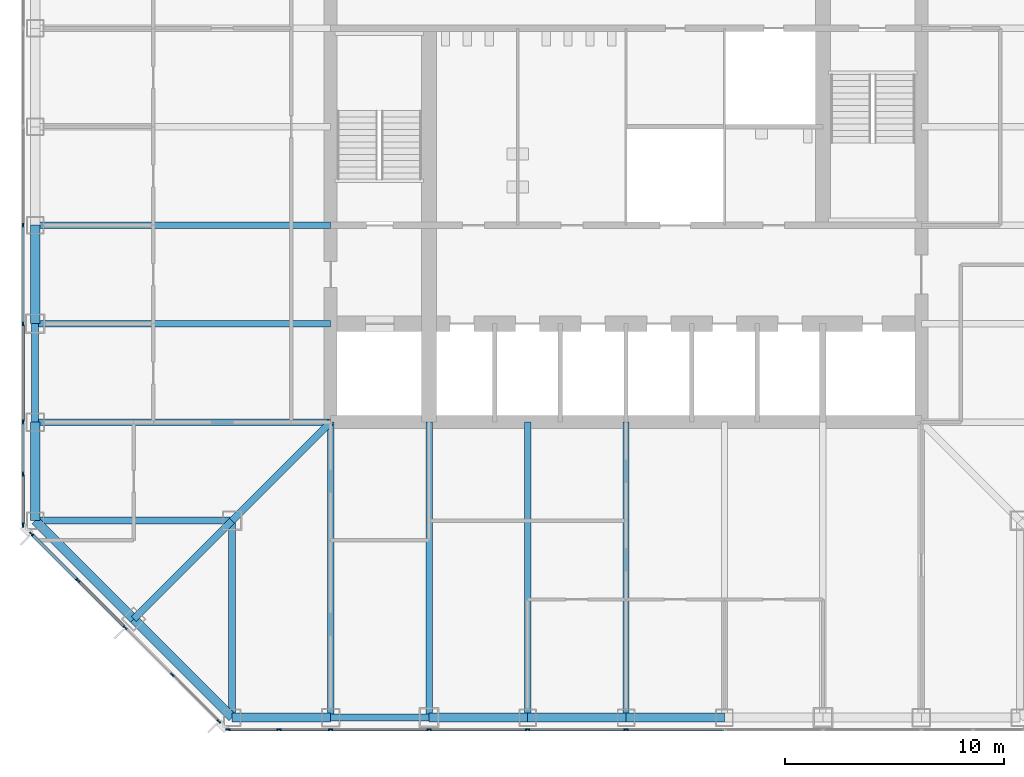
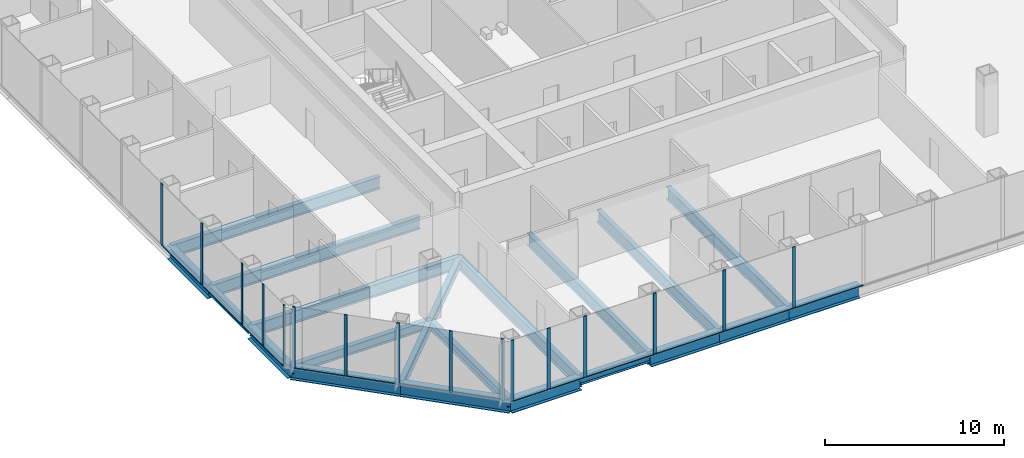
# One storey, part 2 of 13: 28 members, 21 beams, 3 elements without a shape of their own.
"""IFC4 building model written with IfcOpenShell, lengths in metres."""

from ifc_helpers import new_model, si_unit, direction, frame, origin, origin_2d, place, context, subcontext, project, spatial, rectangle, i_section, extrude, material, material_profile, profile_set, type_object, element, aggregate, save


model = new_model("IFC4")

# Units and contexts
model_context = context("Model", 3, precision=1e-05, world=origin(), true_north=direction((0.0, 1.0)))
body_context = subcontext(model_context, "Body", "Model", "MODEL_VIEW")
ifc_project = project(units=[si_unit("LENGTHUNIT", "METRE"), si_unit("AREAUNIT", "SQUARE_METRE"), si_unit("VOLUMEUNIT", "CUBIC_METRE"), si_unit("PLANEANGLEUNIT", "RADIAN"), si_unit("MASSUNIT", "GRAM", prefix="KILO")], contexts=[model_context])

# Site, building, storey
site_placement = place(None, origin())
site = spatial("IfcSite", under=ifc_project, at=site_placement, CompositionType="ELEMENT")
building_placement = place(site_placement, origin())
building = spatial("IfcBuilding", under=site, at=building_placement, Name="Corais Broadcast Tower", CompositionType="ELEMENT")
storey_placement = place(building_placement, frame((0.0, 0.0, 87.800048828125)))
storey = spatial("IfcBuildingStorey", under=building, at=storey_placement, Name="L19", CompositionType="ELEMENT", Elevation=87.800048828125)

# Beams
ifc_material_1 = material(Name="Steel ASTM A572 Grade 50", Category="steel")
ifc_material_profile_1 = material_profile(ifc_material_1, i_section(OverallWidth=0.323974609375, OverallDepth=0.611083984375, WebThickness=0.0126953125, FlangeThickness=0.01904296875, at=origin_2d()), Name="W610x155")
ifc_profile_set_1 = profile_set([ifc_material_profile_1], Name="Steel ASTM A572 Grade 50")
beam_type_1 = type_object("IfcBeamType", Name="Chamfer tie W610x155", PredefinedType="BEAM", material=ifc_profile_set_1)
beam_1_placement = place(storey_placement, frame((4.5, 4.5, -0.465576171875), z_axis=(0.707106781187, 0.707106781187, 0.0), x_axis=(-0.707106781187, 0.707106781187, 0.0)))
element("IfcBeam", 1, at=beam_1_placement, inside=storey, type_object=beam_type_1, Name="B5 B/4 to C/5", PredefinedType="BEAM", context=body_context, shape_type="SweptSolid", body=[
    extrude(i_section(OverallWidth=0.323974609375, OverallDepth=0.611083984375, WebThickness=0.0126953125, FlangeThickness=0.01904296875, at=origin_2d()), origin(), (0.0, 0.0, 1.0), 6.364013671875),
])
ifc_material_2 = material(Name="Steel ASTM A572 Grade 50", Category="steel")
ifc_material_profile_2 = material_profile(ifc_material_2, i_section(OverallWidth=0.323974609375, OverallDepth=0.611083984375, WebThickness=0.0126953125, FlangeThickness=0.01904296875, at=origin_2d()), Name="W610x155")
ifc_profile_set_2 = profile_set([ifc_material_profile_2], Name="Steel ASTM A572 Grade 50")
beam_type_2 = type_object("IfcBeamType", Name="Corner diagonal W610x155", PredefinedType="BEAM", material=ifc_profile_set_2)
beam_2_placement = place(storey_placement, frame((9.0, 9.0, -0.465576171875), z_axis=(0.707106781187, 0.707106781187, 0.0), x_axis=(-0.707106781187, 0.707106781187, 0.0)))
element("IfcBeam", 2, at=beam_2_placement, inside=storey, type_object=beam_type_2, Name="B6 C/5 to D/6", PredefinedType="BEAM", context=body_context, shape_type="SweptSolid", body=[
    extrude(i_section(OverallWidth=0.323974609375, OverallDepth=0.611083984375, WebThickness=0.0126953125, FlangeThickness=0.01904296875, at=origin_2d()), origin(), (0.0, 0.0, 1.0), 6.364013671875),
])
ifc_material_3 = material(Name="Steel ASTM A572 Grade 50", Category="steel")
ifc_material_profile_3 = material_profile(ifc_material_3, i_section(OverallWidth=0.323974609375, OverallDepth=0.611083984375, WebThickness=0.0126953125, FlangeThickness=0.01904296875, at=origin_2d()), Name="W610x155")
ifc_profile_set_3 = profile_set([ifc_material_profile_3], Name="Steel ASTM A572 Grade 50")
beam_type_3 = type_object("IfcBeamType", Name="Corner girder W610x155", PredefinedType="BEAM", material=ifc_profile_set_3)
for number, where, z_axis, x_axis, name in (
    (3, (0.0, 9.0, -0.465576171875), (1.0, 0.0, 0.0), (0.0, 1.0, 0.0), "B4 C/3 to C/5"),
    (4, (9.0, 0.0, -0.465576171875), (0.0, 1.0, 0.0), (-1.0, 0.0, 0.0), "B4 A/5 to C/5"),
):
    element("IfcBeam", number, at=place(storey_placement, frame(where, z_axis=z_axis, x_axis=x_axis)), inside=storey, type_object=beam_type_3, Name=name, PredefinedType="BEAM", context=body_context, shape_type="SweptSolid", body=[
        extrude(i_section(OverallWidth=0.323974609375, OverallDepth=0.611083984375, WebThickness=0.0126953125, FlangeThickness=0.01904296875, at=origin_2d()), origin(), (0.0, 0.0, 1.0), 9.0),
    ])
ifc_material_4 = material(Name="Steel ASTM A572 Grade 50", Category="steel")
ifc_material_profile_4 = material_profile(ifc_material_4, i_section(OverallWidth=0.2939453125, OverallDepth=0.85107421875, WebThickness=0.01611328125, FlangeThickness=0.02685546875, at=origin_2d()), Name="W840x226")
ifc_profile_set_4 = profile_set([ifc_material_profile_4], Name="Steel ASTM A572 Grade 50")
beam_type_4 = type_object("IfcBeamType", Name="Floor beam W840x226", PredefinedType="BEAM", material=ifc_profile_set_4)
for number, where, z_axis, x_axis, name in (
    (5, (0.0, 13.5, -0.58544921875), (1.0, 0.0, 0.0), (0.0, 1.0, 0.0), "B1 D/3 to D/6"),
    (6, (0.0, 18.0, -0.58544921875), (1.0, 0.0, 0.0), (0.0, 1.0, 0.0), "B1 E/3 to E/6"),
    (7, (0.0, 22.5, -0.58544921875), (1.0, 0.0, 0.0), (0.0, 1.0, 0.0), "B1 F/3 to F/6"),
    (8, (13.5, 0.0, -0.58544921875), (0.0, 1.0, 0.0), (-1.0, 0.0, 0.0), "B1 A/6 to D/6"),
    (9, (18.0, 0.0, -0.58544921875), (0.0, 1.0, 0.0), (-1.0, 0.0, 0.0), "B1 A/7 to D/7"),
    (10, (22.5, 0.0, -0.58544921875), (0.0, 1.0, 0.0), (-1.0, 0.0, 0.0), "B1 A/8 to D/8"),
    (11, (27.0, 0.0, -0.58544921875), (0.0, 1.0, 0.0), (-1.0, 0.0, 0.0), "B1 A/9 to D/9"),
):
    element("IfcBeam", number, at=place(storey_placement, frame(where, z_axis=z_axis, x_axis=x_axis)), inside=storey, type_object=beam_type_4, Name=name, PredefinedType="BEAM", context=body_context, shape_type="SweptSolid", body=[
        extrude(i_section(OverallWidth=0.2939453125, OverallDepth=0.85107421875, WebThickness=0.01611328125, FlangeThickness=0.02685546875, at=origin_2d()), origin(), (0.0, 0.0, 1.0), 13.5),
    ])

# Curtain wall, members
ifc_material_5 = material(Name="Aluminium and glass", Category="aluminium")
curtain_wall_type = type_object("IfcCurtainWallType", Name="Unitised fritted curtain wall CW1", PredefinedType="NOTDEFINED", material=ifc_material_5)
curtain_wall_1_placement = place(storey_placement, origin())
curtain_wall_1 = element("IfcCurtainWall", 12, at=curtain_wall_1_placement, inside=storey, type_object=curtain_wall_type, Name="CW1 curtain wall L19 1", PredefinedType="NOTDEFINED")
ifc_material_6 = material(Name="Aluminium 6063-T6", Category="aluminium")
ifc_material_profile_5 = material_profile(ifc_material_6, rectangle(XDim=0.06494140625, YDim=0.199951171875, at=origin_2d()), Name="Mullion CW1 65x200")
ifc_profile_set_5 = profile_set([ifc_material_profile_5], Name="Aluminium 6063-T6")
member_type_1 = type_object("IfcMemberType", Name="Mullion CW1 65x200", PredefinedType="MULLION", material=ifc_profile_set_5)
member_1_placement = place(storey_placement, frame((8.3955078125, -0.17333984375, 0.0), z_axis=(0.0, 0.0, 1.0), x_axis=(-0.707106781187, -0.707106781187, 0.0)))
member_1 = element("IfcMember", 13, at=member_1_placement, type_object=member_type_1, Name="CW1 mullion 1", PredefinedType="MULLION", context=body_context, shape_type="SweptSolid", body=[
    extrude(rectangle(XDim=0.06494140625, YDim=0.199951171875, at=origin_2d()), origin(), (0.0, 0.0, 1.0), 4.199951171875),
])
member_2_placement = place(storey_placement, frame((6.264892578125, 1.957275390625, 0.0), z_axis=(0.0, 0.0, 1.0), x_axis=(-0.707106781187, -0.707106781187, 0.0)))
member_2 = element("IfcMember", 14, at=member_2_placement, type_object=member_type_1, Name="CW1 mullion 2", PredefinedType="MULLION", context=body_context, shape_type="SweptSolid", body=[
    extrude(rectangle(XDim=0.06494140625, YDim=0.199951171875, at=origin_2d()), origin(), (0.0, 0.0, 1.0), 4.199951171875),
])
member_3_placement = place(storey_placement, frame((4.111083984375, 4.111083984375, 0.0), z_axis=(0.0, 0.0, 1.0), x_axis=(-0.707106781187, -0.707106781187, 0.0)))
member_3 = element("IfcMember", 15, at=member_3_placement, type_object=member_type_1, Name="CW1 mullion 3", PredefinedType="MULLION", context=body_context, shape_type="SweptSolid", body=[
    extrude(rectangle(XDim=0.06494140625, YDim=0.199951171875, at=origin_2d()), origin(), (0.0, 0.0, 1.0), 4.199951171875),
])
member_4_placement = place(storey_placement, frame((1.957275390625, 6.264892578125, 0.0), z_axis=(0.0, 0.0, 1.0), x_axis=(-0.707106781187, -0.707106781187, 0.0)))
member_4 = element("IfcMember", 16, at=member_4_placement, type_object=member_type_1, Name="CW1 mullion 4", PredefinedType="MULLION", context=body_context, shape_type="SweptSolid", body=[
    extrude(rectangle(XDim=0.06494140625, YDim=0.199951171875, at=origin_2d()), origin(), (0.0, 0.0, 1.0), 4.199951171875),
])
member_5_placement = place(storey_placement, frame((-0.17333984375, 8.3955078125, 0.0), z_axis=(0.0, 0.0, 1.0), x_axis=(-0.707106781187, -0.707106781187, 0.0)))
member_5 = element("IfcMember", 17, at=member_5_placement, type_object=member_type_1, Name="CW1 mullion 5", PredefinedType="MULLION", context=body_context, shape_type="SweptSolid", body=[
    extrude(rectangle(XDim=0.06494140625, YDim=0.199951171875, at=origin_2d()), origin(), (0.0, 0.0, 1.0), 4.199951171875),
])

curtain_wall_2_placement = place(storey_placement, origin())
curtain_wall_2 = element("IfcCurtainWall", 18, at=curtain_wall_2_placement, inside=storey, type_object=curtain_wall_type, Name="CW1 curtain wall L19 2", PredefinedType="NOTDEFINED")
member_6_placement = place(storey_placement, frame((-0.550048828125, 8.8046875, 0.0), z_axis=(0.0, 0.0, 1.0), x_axis=(-1.0, 0.0, 0.0)))
member_6 = element("IfcMember", 19, at=member_6_placement, type_object=member_type_1, Name="CW1 mullion 1", PredefinedType="MULLION", context=body_context, shape_type="SweptSolid", body=[
    extrude(rectangle(XDim=0.06494140625, YDim=0.199951171875, at=origin_2d()), origin(), (0.0, 0.0, 1.0), 4.199951171875),
])
member_7_placement = place(storey_placement, frame((-0.550048828125, 11.135986328125, 0.0), z_axis=(0.0, 0.0, 1.0), x_axis=(-1.0, 0.0, 0.0)))
member_7 = element("IfcMember", 20, at=member_7_placement, type_object=member_type_1, Name="CW1 mullion 2", PredefinedType="MULLION", context=body_context, shape_type="SweptSolid", body=[
    extrude(rectangle(XDim=0.06494140625, YDim=0.199951171875, at=origin_2d()), origin(), (0.0, 0.0, 1.0), 4.199951171875),
])
member_8_placement = place(storey_placement, frame((-0.550048828125, 13.5, 0.0), z_axis=(0.0, 0.0, 1.0), x_axis=(-1.0, 0.0, 0.0)))
member_8 = element("IfcMember", 21, at=member_8_placement, type_object=member_type_1, Name="CW1 mullion 3", PredefinedType="MULLION", context=body_context, shape_type="SweptSolid", body=[
    extrude(rectangle(XDim=0.06494140625, YDim=0.199951171875, at=origin_2d()), origin(), (0.0, 0.0, 1.0), 4.199951171875),
])
member_9_placement = place(storey_placement, frame((-0.550048828125, 18.0, 0.0), z_axis=(0.0, 0.0, 1.0), x_axis=(-1.0, 0.0, 0.0)))
member_9 = element("IfcMember", 22, at=member_9_placement, type_object=member_type_1, Name="CW1 mullion 4", PredefinedType="MULLION", context=body_context, shape_type="SweptSolid", body=[
    extrude(rectangle(XDim=0.06494140625, YDim=0.199951171875, at=origin_2d()), origin(), (0.0, 0.0, 1.0), 4.199951171875),
])
member_10_placement = place(storey_placement, frame((-0.550048828125, 22.5, 0.0), z_axis=(0.0, 0.0, 1.0), x_axis=(-1.0, 0.0, 0.0)))
member_10 = element("IfcMember", 23, at=member_10_placement, type_object=member_type_1, Name="CW1 mullion 5", PredefinedType="MULLION", context=body_context, shape_type="SweptSolid", body=[
    extrude(rectangle(XDim=0.06494140625, YDim=0.199951171875, at=origin_2d()), origin(), (0.0, 0.0, 1.0), 4.199951171875),
])

curtain_wall_3_placement = place(storey_placement, origin())
curtain_wall_3 = element("IfcCurtainWall", 24, at=curtain_wall_3_placement, inside=storey, type_object=curtain_wall_type, Name="CW1 curtain wall L19 8", PredefinedType="NOTDEFINED")
member_11_placement = place(storey_placement, frame((27.0, -0.550048828125, 0.0), z_axis=(0.0, 0.0, 1.0), x_axis=(0.0, -1.0, 0.0)))
member_11 = element("IfcMember", 25, at=member_11_placement, type_object=member_type_1, Name="CW1 mullion 6", PredefinedType="MULLION", context=body_context, shape_type="SweptSolid", body=[
    extrude(rectangle(XDim=0.06494140625, YDim=0.199951171875, at=origin_2d()), origin(), (0.0, 0.0, 1.0), 4.199951171875),
])
member_12_placement = place(storey_placement, frame((22.5, -0.550048828125, 0.0), z_axis=(0.0, 0.0, 1.0), x_axis=(0.0, -1.0, 0.0)))
member_12 = element("IfcMember", 26, at=member_12_placement, type_object=member_type_1, Name="CW1 mullion 7", PredefinedType="MULLION", context=body_context, shape_type="SweptSolid", body=[
    extrude(rectangle(XDim=0.06494140625, YDim=0.199951171875, at=origin_2d()), origin(), (0.0, 0.0, 1.0), 4.199951171875),
])
member_13_placement = place(storey_placement, frame((18.0, -0.550048828125, 0.0), z_axis=(0.0, 0.0, 1.0), x_axis=(0.0, -1.0, 0.0)))
member_13 = element("IfcMember", 27, at=member_13_placement, type_object=member_type_1, Name="CW1 mullion 8", PredefinedType="MULLION", context=body_context, shape_type="SweptSolid", body=[
    extrude(rectangle(XDim=0.06494140625, YDim=0.199951171875, at=origin_2d()), origin(), (0.0, 0.0, 1.0), 4.199951171875),
])
member_14_placement = place(storey_placement, frame((13.5, -0.550048828125, 0.0), z_axis=(0.0, 0.0, 1.0), x_axis=(0.0, -1.0, 0.0)))
member_14 = element("IfcMember", 28, at=member_14_placement, type_object=member_type_1, Name="CW1 mullion 9", PredefinedType="MULLION", context=body_context, shape_type="SweptSolid", body=[
    extrude(rectangle(XDim=0.06494140625, YDim=0.199951171875, at=origin_2d()), origin(), (0.0, 0.0, 1.0), 4.199951171875),
])
member_15_placement = place(storey_placement, frame((11.135986328125, -0.550048828125, 0.0), z_axis=(0.0, 0.0, 1.0), x_axis=(0.0, -1.0, 0.0)))
member_15 = element("IfcMember", 29, at=member_15_placement, type_object=member_type_1, Name="CW1 mullion 10", PredefinedType="MULLION", context=body_context, shape_type="SweptSolid", body=[
    extrude(rectangle(XDim=0.06494140625, YDim=0.199951171875, at=origin_2d()), origin(), (0.0, 0.0, 1.0), 4.199951171875),
])
member_16_placement = place(storey_placement, frame((8.8046875, -0.550048828125, 0.0), z_axis=(0.0, 0.0, 1.0), x_axis=(0.0, -1.0, 0.0)))
member_16 = element("IfcMember", 30, at=member_16_placement, type_object=member_type_1, Name="CW1 mullion 11", PredefinedType="MULLION", context=body_context, shape_type="SweptSolid", body=[
    extrude(rectangle(XDim=0.06494140625, YDim=0.199951171875, at=origin_2d()), origin(), (0.0, 0.0, 1.0), 4.199951171875),
])

# Beams
ifc_material_7 = material(Name="Steel ASTM A572 Grade 50", Category="steel")
ifc_material_profile_6 = material_profile(ifc_material_7, i_section(OverallWidth=0.323974609375, OverallDepth=0.611083984375, WebThickness=0.0126953125, FlangeThickness=0.01904296875, at=origin_2d()), Name="W610x155")
ifc_profile_set_6 = profile_set([ifc_material_profile_6], Name="Steel ASTM A572 Grade 50")
beam_type_5 = type_object("IfcBeamType", Name="Pinned spandrel W610x155", PredefinedType="BEAM", material=ifc_profile_set_6)
for number, where, z_axis, x_axis, name in (
    (31, (0.0, 18.0, -0.465576171875), (0.0, -1.0, 0.0), (1.0, 0.0, 0.0), "SB6 E/3 to D/3"),
    (32, (13.5, 0.0, -0.465576171875), (1.0, 0.0, 0.0), (0.0, 1.0, 0.0), "SB6 A/6 to A/7"),
):
    element("IfcBeam", number, at=place(storey_placement, frame(where, z_axis=z_axis, x_axis=x_axis)), inside=storey, type_object=beam_type_5, Name=name, PredefinedType="BEAM", context=body_context, shape_type="SweptSolid", body=[
        extrude(i_section(OverallWidth=0.323974609375, OverallDepth=0.611083984375, WebThickness=0.0126953125, FlangeThickness=0.01904296875, at=origin_2d()), origin(), (0.0, 0.0, 1.0), 4.5),
    ])
ifc_material_8 = material(Name="Steel ASTM A572 Grade 50", Category="steel")
ifc_material_profile_7 = material_profile(ifc_material_8, i_section(OverallWidth=0.4189453125, OverallDepth=0.94189453125, WebThickness=0.022216796875, FlangeThickness=0.03662109375, at=origin_2d()), Name="W920x345")
ifc_profile_set_7 = profile_set([ifc_material_profile_7], Name="Steel ASTM A572 Grade 50")
beam_type_6 = type_object("IfcBeamType", Name="Transfer spandrel W920x345", PredefinedType="BEAM", material=ifc_profile_set_7)
for number, where, z_axis, x_axis, name in (
    (33, (0.0, 13.5, -0.631103515625), (0.0, -1.0, 0.0), (1.0, 0.0, 0.0), "SB4 D/3 to C/3"),
    (34, (0.0, 22.5, -0.631103515625), (0.0, -1.0, 0.0), (1.0, 0.0, 0.0), "SB4 F/3 to E/3"),
):
    element("IfcBeam", number, at=place(storey_placement, frame(where, z_axis=z_axis, x_axis=x_axis)), inside=storey, type_object=beam_type_6, Name=name, PredefinedType="BEAM", context=body_context, shape_type="SweptSolid", body=[
        extrude(i_section(OverallWidth=0.4189453125, OverallDepth=0.94189453125, WebThickness=0.022216796875, FlangeThickness=0.03662109375, at=origin_2d()), origin(), (0.0, 0.0, 1.0), 4.5),
    ])
beam_3_placement = place(storey_placement, frame((0.0, 9.0, -0.631103515625), z_axis=(0.707106781187, -0.707106781187, 0.0), x_axis=(0.707106781187, 0.707106781187, 0.0)))
element("IfcBeam", 35, at=beam_3_placement, inside=storey, type_object=beam_type_6, Name="SB4 C/3 to B/4", PredefinedType="BEAM", context=body_context, shape_type="SweptSolid", body=[
    extrude(i_section(OverallWidth=0.4189453125, OverallDepth=0.94189453125, WebThickness=0.022216796875, FlangeThickness=0.03662109375, at=origin_2d()), origin(), (0.0, 0.0, 1.0), 6.364013671875),
])
for number, where, z_axis, x_axis, name in (
    (36, (18.0, 0.0, -0.631103515625), (1.0, 0.0, 0.0), (0.0, 1.0, 0.0), "SB4 A/7 to A/8"),
    (37, (22.5, 0.0, -0.631103515625), (1.0, 0.0, 0.0), (0.0, 1.0, 0.0), "SB4 A/8 to A/9"),
    (38, (27.0, 0.0, -0.631103515625), (1.0, 0.0, 0.0), (0.0, 1.0, 0.0), "SB4 A/9 to A/10"),
):
    element("IfcBeam", number, at=place(storey_placement, frame(where, z_axis=z_axis, x_axis=x_axis)), inside=storey, type_object=beam_type_6, Name=name, PredefinedType="BEAM", context=body_context, shape_type="SweptSolid", body=[
        extrude(i_section(OverallWidth=0.4189453125, OverallDepth=0.94189453125, WebThickness=0.022216796875, FlangeThickness=0.03662109375, at=origin_2d()), origin(), (0.0, 0.0, 1.0), 4.5),
    ])
beam_4_placement = place(storey_placement, frame((4.5, 4.5, -0.631103515625), z_axis=(0.707106781187, -0.707106781187, 0.0), x_axis=(0.707106781187, 0.707106781187, 0.0)))
element("IfcBeam", 39, at=beam_4_placement, inside=storey, type_object=beam_type_6, Name="SB4 B/4 to A/5", PredefinedType="BEAM", context=body_context, shape_type="SweptSolid", body=[
    extrude(i_section(OverallWidth=0.4189453125, OverallDepth=0.94189453125, WebThickness=0.022216796875, FlangeThickness=0.03662109375, at=origin_2d()), origin(), (0.0, 0.0, 1.0), 6.364013671875),
])
beam_5_placement = place(storey_placement, frame((9.0, 0.0, -0.631103515625), z_axis=(1.0, 0.0, 0.0), x_axis=(0.0, 1.0, 0.0)))
element("IfcBeam", 40, at=beam_5_placement, inside=storey, type_object=beam_type_6, Name="SB4 A/5 to A/6", PredefinedType="BEAM", context=body_context, shape_type="SweptSolid", body=[
    extrude(i_section(OverallWidth=0.4189453125, OverallDepth=0.94189453125, WebThickness=0.022216796875, FlangeThickness=0.03662109375, at=origin_2d()), origin(), (0.0, 0.0, 1.0), 4.5),
])

# Member
ifc_material_9 = material(Name="Aluminium 6063-T6", Category="aluminium")
ifc_material_profile_8 = material_profile(ifc_material_9, rectangle(XDim=0.139892578125, YDim=0.06494140625, at=origin_2d()), Name="Transom CW1 65x140")
ifc_profile_set_8 = profile_set([ifc_material_profile_8], Name="Aluminium 6063-T6")
member_type_2 = type_object("IfcMemberType", Name="Transom CW1 65x140", PredefinedType="USERDEFINED", material=ifc_profile_set_8)
member_17_placement = place(storey_placement, frame((4.088134765625, 4.134033203125, 0.032470703125), z_axis=(-0.707106781187, 0.707106781187, 0.0), x_axis=(-0.707106781187, -0.707106781187, 0.0)))
member_17 = element("IfcMember", 41, at=member_17_placement, type_object=member_type_2, Name="CW1 transom 3.1", ObjectType="TRANSOM", PredefinedType="USERDEFINED", context=body_context, shape_type="SweptSolid", body=[
    extrude(rectangle(XDim=0.139892578125, YDim=0.06494140625, at=origin_2d()), origin(), (0.0, 0.0, 1.0), 2.98095703125),
])

member_18_placement = place(storey_placement, frame((1.934326171875, 6.287841796875, 0.032470703125), z_axis=(-0.707106781187, 0.707106781187, 0.0), x_axis=(-0.707106781187, -0.707106781187, 0.0)))
member_18 = element("IfcMember", 42, at=member_18_placement, type_object=member_type_2, Name="CW1 transom 4.1", ObjectType="TRANSOM", PredefinedType="USERDEFINED", context=body_context, shape_type="SweptSolid", body=[
    extrude(rectangle(XDim=0.139892578125, YDim=0.06494140625, at=origin_2d()), origin(), (0.0, 0.0, 1.0), 2.9482421875),
])

aggregate(curtain_wall_1, [member_1, member_2, member_3, member_4, member_5, member_17, member_18])

member_19_placement = place(storey_placement, frame((-0.550048828125, 8.837158203125, 0.032470703125), z_axis=(0.0, 1.0, 0.0), x_axis=(-1.0, 0.0, 0.0)))
member_19 = element("IfcMember", 43, at=member_19_placement, type_object=member_type_2, Name="CW1 transom 1.1", ObjectType="TRANSOM", PredefinedType="USERDEFINED", context=body_context, shape_type="SweptSolid", body=[
    extrude(rectangle(XDim=0.139892578125, YDim=0.06494140625, at=origin_2d()), origin(), (0.0, 0.0, 1.0), 2.266357421875),
])

member_20_placement = place(storey_placement, frame((-0.550048828125, 11.168701171875, 0.032470703125), z_axis=(0.0, 1.0, 0.0), x_axis=(-1.0, 0.0, 0.0)))
member_20 = element("IfcMember", 44, at=member_20_placement, type_object=member_type_2, Name="CW1 transom 2.1", ObjectType="TRANSOM", PredefinedType="USERDEFINED", context=body_context, shape_type="SweptSolid", body=[
    extrude(rectangle(XDim=0.139892578125, YDim=0.06494140625, at=origin_2d()), origin(), (0.0, 0.0, 1.0), 2.298828125),
])

member_21_placement = place(storey_placement, frame((-0.550048828125, 13.532470703125, 0.032470703125), z_axis=(0.0, 1.0, 0.0), x_axis=(-1.0, 0.0, 0.0)))
member_21 = element("IfcMember", 45, at=member_21_placement, type_object=member_type_2, Name="CW1 transom 3.1", ObjectType="TRANSOM", PredefinedType="USERDEFINED", context=body_context, shape_type="SweptSolid", body=[
    extrude(rectangle(XDim=0.139892578125, YDim=0.06494140625, at=origin_2d()), origin(), (0.0, 0.0, 1.0), 4.43505859375),
])

member_22_placement = place(storey_placement, frame((-0.550048828125, 18.032470703125, 0.032470703125), z_axis=(0.0, 1.0, 0.0), x_axis=(-1.0, 0.0, 0.0)))
member_22 = element("IfcMember", 46, at=member_22_placement, type_object=member_type_2, Name="CW1 transom 4.1", ObjectType="TRANSOM", PredefinedType="USERDEFINED", context=body_context, shape_type="SweptSolid", body=[
    extrude(rectangle(XDim=0.139892578125, YDim=0.06494140625, at=origin_2d()), origin(), (0.0, 0.0, 1.0), 4.43505859375),
])

aggregate(curtain_wall_2, [member_6, member_7, member_8, member_9, member_10, member_19, member_20, member_21, member_22])

member_23_placement = place(storey_placement, frame((31.467529296875, -0.550048828125, 0.032470703125), z_axis=(-1.0, 0.0, 0.0), x_axis=(0.0, -1.0, 0.0)))
member_23 = element("IfcMember", 47, at=member_23_placement, type_object=member_type_2, Name="CW1 transom 5.1", ObjectType="TRANSOM", PredefinedType="USERDEFINED", context=body_context, shape_type="SweptSolid", body=[
    extrude(rectangle(XDim=0.139892578125, YDim=0.06494140625, at=origin_2d()), origin(), (0.0, 0.0, 1.0), 4.43505859375),
])

member_24_placement = place(storey_placement, frame((26.967529296875, -0.550048828125, 0.032470703125), z_axis=(-1.0, 0.0, 0.0), x_axis=(0.0, -1.0, 0.0)))
member_24 = element("IfcMember", 48, at=member_24_placement, type_object=member_type_2, Name="CW1 transom 6.1", ObjectType="TRANSOM", PredefinedType="USERDEFINED", context=body_context, shape_type="SweptSolid", body=[
    extrude(rectangle(XDim=0.139892578125, YDim=0.06494140625, at=origin_2d()), origin(), (0.0, 0.0, 1.0), 4.43505859375),
])

member_25_placement = place(storey_placement, frame((22.467529296875, -0.550048828125, 0.032470703125), z_axis=(-1.0, 0.0, 0.0), x_axis=(0.0, -1.0, 0.0)))
member_25 = element("IfcMember", 49, at=member_25_placement, type_object=member_type_2, Name="CW1 transom 7.1", ObjectType="TRANSOM", PredefinedType="USERDEFINED", context=body_context, shape_type="SweptSolid", body=[
    extrude(rectangle(XDim=0.139892578125, YDim=0.06494140625, at=origin_2d()), origin(), (0.0, 0.0, 1.0), 4.43505859375),
])

member_26_placement = place(storey_placement, frame((17.967529296875, -0.550048828125, 0.032470703125), z_axis=(-1.0, 0.0, 0.0), x_axis=(0.0, -1.0, 0.0)))
member_26 = element("IfcMember", 50, at=member_26_placement, type_object=member_type_2, Name="CW1 transom 8.1", ObjectType="TRANSOM", PredefinedType="USERDEFINED", context=body_context, shape_type="SweptSolid", body=[
    extrude(rectangle(XDim=0.139892578125, YDim=0.06494140625, at=origin_2d()), origin(), (0.0, 0.0, 1.0), 4.43505859375),
])

member_27_placement = place(storey_placement, frame((13.467529296875, -0.550048828125, 0.032470703125), z_axis=(-1.0, 0.0, 0.0), x_axis=(0.0, -1.0, 0.0)))
member_27 = element("IfcMember", 51, at=member_27_placement, type_object=member_type_2, Name="CW1 transom 9.1", ObjectType="TRANSOM", PredefinedType="USERDEFINED", context=body_context, shape_type="SweptSolid", body=[
    extrude(rectangle(XDim=0.139892578125, YDim=0.06494140625, at=origin_2d()), origin(), (0.0, 0.0, 1.0), 2.298828125),
])

member_28_placement = place(storey_placement, frame((11.103515625, -0.550048828125, 0.032470703125), z_axis=(-1.0, 0.0, 0.0), x_axis=(0.0, -1.0, 0.0)))
member_28 = element("IfcMember", 52, at=member_28_placement, type_object=member_type_2, Name="CW1 transom 10.1", ObjectType="TRANSOM", PredefinedType="USERDEFINED", context=body_context, shape_type="SweptSolid", body=[
    extrude(rectangle(XDim=0.139892578125, YDim=0.06494140625, at=origin_2d()), origin(), (0.0, 0.0, 1.0), 2.266357421875),
])

aggregate(curtain_wall_3, [member_11, member_12, member_13, member_14, member_15, member_16, member_23, member_24, member_25, member_26, member_27, member_28])

save(model, "model.ifc")
